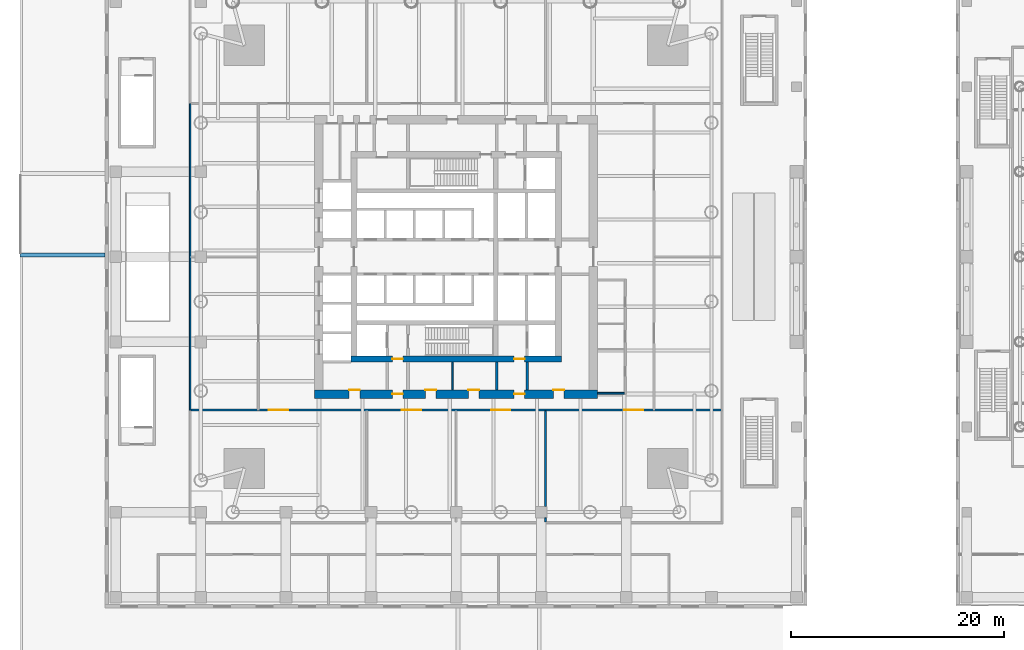
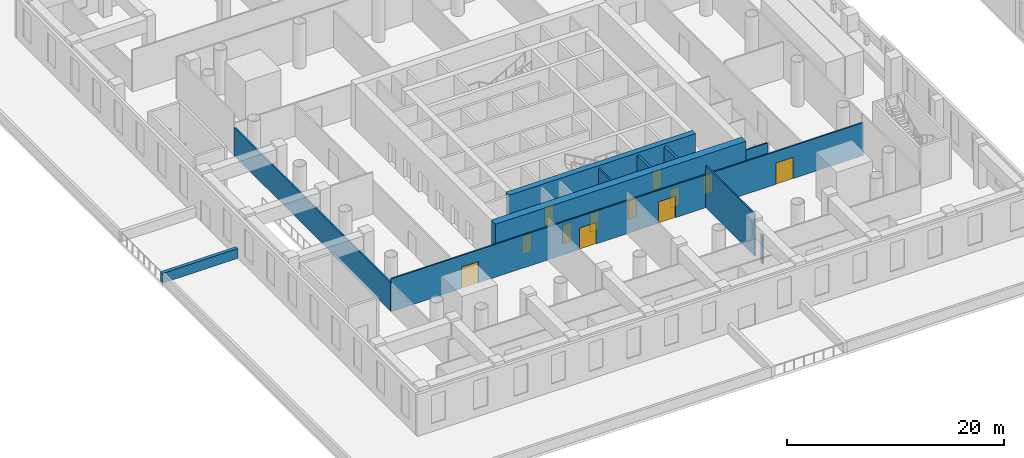
# One storey, part 9 of 26: 12 doors, 11 walls, 12 openings.
"""IFC4 building model written with IfcOpenShell, lengths in metres."""

import ifcopenshell
import ifcopenshell.guid

model = None  # the IFC model being written
_history = None  # IfcOwnerHistory: only IFC2X3 demands one
_inside = {}  # id of a spatial element -> (the spatial element, [elements in it])
_under = {}  # id of a project, library or spatial element -> (it, [spatial elements below it])
_declared = {}  # id of a project -> (the project, [libraries it declares])
_typed = {}  # id of a type object -> (the type object, [elements of that type])
_made_of = {}  # id of a material, layer set ... -> (it, [elements and type objects made of it])


def new_model(schema):
    """Start an empty IFC model of exactly this schema.

    Asked for "IFC4X3", IfcOpenShell would pick the latest addendum, in which some entities
    have other attributes; the version numbers below select the first issue.
    IFC2X3 requires an IfcOwnerHistory on every rooted entity: one is made here for all.
    """
    global model, _history
    if schema == "IFC4X3":
        model = ifcopenshell.file(schema_version=(4, 3, 0, 0))
    else:
        model = ifcopenshell.file(schema=schema)
    _inside.clear()
    _under.clear()
    _declared.clear()
    _typed.clear()
    _made_of.clear()
    _history = None
    if model.schema == "IFC2X3":
        org = make("IfcOrganization", Name="unknown")
        user = make(
            "IfcPersonAndOrganization",
            ThePerson=make("IfcPerson", FamilyName="unknown"),
            TheOrganization=org,
        )
        app = make(
            "IfcApplication",
            ApplicationDeveloper=org,
            Version="unknown",
            ApplicationFullName="unknown",
            ApplicationIdentifier="unknown",
        )
        _history = make(
            "IfcOwnerHistory",
            OwningUser=user,
            OwningApplication=app,
            ChangeAction="ADDED",
            CreationDate=0,
        )
    return model


def make(cls, **values):
    """One entity of the class cls with the attributes given. An attribute that is None is left unset."""
    return model.create_entity(
        cls, **{name: value for name, value in values.items() if value is not None}
    )


def rooted(cls, **values):
    """An entity with a GlobalId (a new one), such as an element, a storey or a relation."""
    return make(cls, GlobalId=ifcopenshell.guid.new(), OwnerHistory=_history, **values)


def si_unit(unit_type, name, prefix=None):
    """IfcSIUnit, for example si_unit("LENGTHUNIT", "METRE", prefix="MILLI")."""
    return make("IfcSIUnit", UnitType=unit_type, Prefix=prefix, Name=name)


def assignment(units):
    """IfcUnitAssignment: the units of a project."""
    return None if units is None else make("IfcUnitAssignment", Units=units)


def point(xyz):
    """IfcCartesianPoint."""
    return None if xyz is None else make("IfcCartesianPoint", Coordinates=xyz)


def direction(xyz):
    """IfcDirection."""
    return None if xyz is None else make("IfcDirection", DirectionRatios=xyz)


def frame(location, z_axis=None, x_axis=None):
    """IfcAxis2Placement3D, a coordinate frame: its origin and axes. An axis left out is left unset."""
    return make(
        "IfcAxis2Placement3D",
        Location=point(location),
        Axis=direction(z_axis),
        RefDirection=direction(x_axis),
    )


def frame_2d(location, x_axis=None):
    """IfcAxis2Placement2D, a coordinate frame in the plane: its origin and x axis."""
    return make(
        "IfcAxis2Placement2D", Location=point(location), RefDirection=direction(x_axis)
    )


def origin():
    """The frame at (0, 0, 0) with its axes left unset."""
    return frame((0.0, 0.0, 0.0))


def place(relative_to, where):
    """IfcLocalPlacement: puts the frame where relative to a parent placement (None: the world)."""
    return make(
        "IfcLocalPlacement", PlacementRelTo=relative_to, RelativePlacement=where
    )


def context(
    kind, dimensions, precision=None, world=None, true_north=None, identifier=None
):
    """IfcGeometricRepresentationContext, for example the 3D "Model" context."""
    return make(
        "IfcGeometricRepresentationContext",
        ContextIdentifier=identifier,
        ContextType=kind,
        CoordinateSpaceDimension=dimensions,
        Precision=precision,
        WorldCoordinateSystem=world,
        TrueNorth=true_north,
    )


def subcontext(parent, identifier, kind, view, scale=None):
    """IfcGeometricRepresentationSubContext, for example "Body" below "Model"."""
    return make(
        "IfcGeometricRepresentationSubContext",
        ContextIdentifier=identifier,
        ContextType=kind,
        ParentContext=parent,
        TargetScale=scale,
        TargetView=view,
    )


def project(units=None, contexts=None):
    """IfcProject with its units and contexts."""
    return rooted(
        "IfcProject",
        Name="project",
        RepresentationContexts=contexts,
        UnitsInContext=assignment(units),
    )


def spatial(cls, under=None, at=None, **own):
    """A site, building, storey or space (cls), placed at a placement, below another one or the project."""
    s = rooted(cls, ObjectPlacement=at, **own)
    if under is not None:
        _under.setdefault(under.id(), (under, []))[1].append(s)
    return s


def profile(cls, at=None, kind="AREA", **sizes):
    """A parametric profile (cls). Its sizes go by their IFC names, for example OverallWidth=200.0."""
    return make(cls, ProfileType=kind, Position=at, **sizes)


def rectangle(**sizes):
    """IfcRectangleProfileDef."""
    return profile("IfcRectangleProfileDef", **sizes)


def extrude(swept, where, along, depth):
    """IfcExtrudedAreaSolid: the profile swept, set in the frame where, extruded along a direction by depth."""
    return make(
        "IfcExtrudedAreaSolid",
        SweptArea=swept,
        Position=where,
        ExtrudedDirection=direction(along),
        Depth=depth,
    )


def shape(context_of_items, identifier, shape_type, items):
    """IfcShapeRepresentation: the items that make up one representation, for example the "Body"."""
    return make(
        "IfcShapeRepresentation",
        ContextOfItems=context_of_items,
        RepresentationIdentifier=identifier,
        RepresentationType=shape_type,
        Items=items,
    )


def material(Name=None, Category=None):
    """IfcMaterial."""
    return make("IfcMaterial", Name=Name, Category=Category)


def layer(
    of_material, thickness, ventilated=None, Name=None, Category=None, Priority=None
):
    """IfcMaterialLayer: one layer of a wall or slab, of a material (None: an air gap)."""
    return make(
        "IfcMaterialLayer",
        Material=of_material,
        LayerThickness=thickness,
        IsVentilated=ventilated,
        Name=Name,
        Category=Category,
        Priority=Priority,
    )


def layer_set(layers, Name=None):
    """IfcMaterialLayerSet."""
    return make("IfcMaterialLayerSet", MaterialLayers=layers, LayerSetName=Name)


def made_of(thing, what):
    """Note that an element or type object is made of a material, layer set ...; save() writes the relation."""
    if what is not None:
        _made_of.setdefault(what.id(), (what, []))[1].append(thing)
    return thing


def type_object(cls, material=None, **own):
    """A type object (cls), such as IfcWallType, which elements share."""
    return made_of(rooted(cls, **own), material)


def element(
    cls,
    number,
    at=None,
    inside=None,
    cuts=None,
    type_object=None,
    material=None,
    context=None,
    identifier="Body",
    shape_type=None,
    held_by="IfcProductDefinitionShape",
    body=None,
    shapes=None,
    **own,
):
    """One element of the class cls, such as IfcWall. Its Tag is "e" and its number.

    at: its placement. inside: the storey or other place that contains it. cuts: it is an
    opening in that element (IfcRelVoidsElement). A single representation is given by context,
    identifier, shape_type and body (its items); several are given by shapes. held_by: the class
    of the entity that holds the representations. save() writes the other relations.
    """
    e = rooted(cls, Tag="e%d" % number, ObjectPlacement=at, **own)
    if body is not None:
        shapes = [shape(context, identifier, shape_type, body)]
    if shapes is not None:
        e.Representation = make(held_by, Representations=shapes)
    if inside is not None:
        _inside.setdefault(inside.id(), (inside, []))[1].append(e)
    if cuts is not None:
        rooted(
            "IfcRelVoidsElement", RelatingBuildingElement=cuts, RelatedOpeningElement=e
        )
    if type_object is not None:
        _typed.setdefault(type_object.id(), (type_object, []))[1].append(e)
    return made_of(e, material)


def fill(opening, filler):
    """IfcRelFillsElement: the door or window that sits in an opening."""
    return rooted(
        "IfcRelFillsElement",
        RelatingOpeningElement=opening,
        RelatedBuildingElement=filler,
    )


def aggregate(whole, parts):
    """IfcRelAggregates: a whole, such as a stair, and the parts it consists of."""
    return rooted("IfcRelAggregates", RelatingObject=whole, RelatedObjects=parts)


def save(model, path):
    """Write the relations noted so far, then the file.

    IfcRelAggregates (storeys below a building ...), IfcRelContainedInSpatialStructure (elements
    in a storey), IfcRelDefinesByType, IfcRelAssociatesMaterial and IfcRelDeclares: one each for
    every whole, place, type object, material and project.
    """
    for whole, parts in _under.values():
        aggregate(whole, parts)
    for where, things in _inside.values():
        rooted(
            "IfcRelContainedInSpatialStructure",
            RelatedElements=things,
            RelatingStructure=where,
        )
    for kind, things in _typed.values():
        rooted("IfcRelDefinesByType", RelatedObjects=things, RelatingType=kind)
    for what, things in _made_of.values():
        rooted("IfcRelAssociatesMaterial", RelatedObjects=things, RelatingMaterial=what)
    for by, libraries in _declared.values():
        rooted("IfcRelDeclares", RelatingContext=by, RelatedDefinitions=libraries)
    model.write(path)


model = new_model("IFC4")

# Units and contexts
model_context = context("Model", 3, precision=1e-05, world=origin(), true_north=direction((0.0, 1.0)))
body_context = subcontext(model_context, "Body", "Model", "MODEL_VIEW")
ifc_project = project(units=[si_unit("LENGTHUNIT", "METRE"), si_unit("AREAUNIT", "SQUARE_METRE"), si_unit("VOLUMEUNIT", "CUBIC_METRE"), si_unit("PLANEANGLEUNIT", "RADIAN"), si_unit("MASSUNIT", "GRAM", prefix="KILO")], contexts=[model_context])

# Site, building, storey
site_placement = place(None, origin())
site = spatial("IfcSite", under=ifc_project, at=site_placement, CompositionType="ELEMENT")
building_placement = place(site_placement, origin())
building = spatial("IfcBuilding", under=site, at=building_placement, Name="Ostroluk Exchange", CompositionType="ELEMENT")
storey_placement = place(building_placement, frame((0.0, 0.0, 6.0)))
storey = spatial("IfcBuildingStorey", under=building, at=storey_placement, Name="L01", CompositionType="ELEMENT", Elevation=6.0)

# Walls
ifc_material_1 = material(Name="Concrete blockwork", Category="masonry")
ifc_layer_1 = layer(ifc_material_1, 0.14990234375)
ifc_layer_set_1 = layer_set([ifc_layer_1], Name="Blockwork plant room wall 150")
wall_type_1 = type_object("IfcWallType", Name="Blockwork plant room wall 150", PredefinedType="SOLIDWALL", material=ifc_layer_set_1)
wall_1_placement = place(storey_placement, frame((44.639892578125, 33.5, 0.0), z_axis=(0.0, 0.0, 1.0), x_axis=(0.0, 1.0, 0.0)))
element("IfcWall", 1, at=wall_1_placement, inside=storey, type_object=wall_type_1, Name="Core room wall", PredefinedType="SOLIDWALL", context=body_context, shape_type="SweptSolid", body=[
    extrude(rectangle(XDim=2.60009765625, YDim=0.14990234375, at=frame_2d((1.300048828125, 0.0))), origin(), (0.0, 0.0, 1.0), 4.699951171875),
])
ifc_material_2 = material(Name="Concrete blockwork", Category="masonry")
ifc_layer_2 = layer(ifc_material_2, 0.25)
ifc_layer_set_2 = layer_set([ifc_layer_2], Name="Blockwork stair enclosure wall 250")
wall_type_2 = type_object("IfcWallType", Name="Blockwork stair enclosure wall 250", PredefinedType="SOLIDWALL", material=ifc_layer_set_2)
for number, where, z_axis, x_axis, name in (
    (2, (48.804931640625, 33.5, 0.0), (0.0, 0.0, 1.0), (0.0, 1.0, 0.0), "Service lobby enclosure wall"),
    (3, (51.675048828125, 33.5, 0.0), (0.0, 0.0, 1.0), (0.0, 1.0, 0.0), "Service lobby enclosure wall"),
):
    element("IfcWall", number, at=place(storey_placement, frame(where, z_axis=z_axis, x_axis=x_axis)), inside=storey, type_object=wall_type_2, Name=name, PredefinedType="SOLIDWALL", context=body_context, shape_type="SweptSolid", body=[
        extrude(rectangle(XDim=2.60009765625, YDim=0.25, at=frame_2d((1.300048828125, 0.0))), origin(), (0.0, 0.0, 1.0), 4.699951171875),
    ])

# Wall, openings, doors
ifc_material_3 = material(Name="Concrete C50/60", Category="concrete")
ifc_layer_3 = layer(ifc_material_3, 0.60009765625)
ifc_layer_set_3 = layer_set([ifc_layer_3], Name="Core wall 600 C50/60")
wall_type_3 = type_object("IfcWallType", Name="Core wall 600 C50/60", PredefinedType="SHEAR", material=ifc_layer_set_3)
wall_2_placement = place(storey_placement, frame((35.10009765625, 36.39990234375, 0.0), z_axis=(0.0, 0.0, 1.0), x_axis=(1.0, 0.0, 0.0)))
wall_2 = element("IfcWall", 4, at=wall_2_placement, inside=storey, type_object=wall_type_3, Name="T1 core wall S", PredefinedType="SHEAR", context=body_context, shape_type="SweptSolid", body=[
    extrude(rectangle(XDim=19.7998046875, YDim=0.60009765625, at=frame_2d((9.89990234375, 0.0))), origin(), (0.0, 0.0, 1.0), 5.0),
])
opening_1_placement = place(wall_2_placement, frame((3.89990234375, 0.0, 0.0)))
opening_1 = element("IfcOpeningElement", 5, at=opening_1_placement, cuts=wall_2, Name="Opening FD60", PredefinedType="OPENING", context=body_context, shape_type="SweptSolid", body=[
    extrude(rectangle(XDim=1.0, YDim=2.10009765625, at=frame_2d((0.5, 1.050048828125))), frame((0.0, 0.31005859375, 0.0), z_axis=(0.0, -1.0, 0.0), x_axis=(1.0, 0.0, 0.0)), (0.0, 0.0, 1.0), 0.6201171875),
])
opening_2_placement = place(wall_2_placement, frame((15.35009765625, 0.0, 0.0)))
opening_2 = element("IfcOpeningElement", 6, at=opening_2_placement, cuts=wall_2, Name="Opening FD60", PredefinedType="OPENING", context=body_context, shape_type="SweptSolid", body=[
    extrude(rectangle(XDim=1.0, YDim=2.10009765625, at=frame_2d((0.5, 1.050048828125))), frame((0.0, 0.31005859375, 0.0), z_axis=(0.0, -1.0, 0.0), x_axis=(1.0, 0.0, 0.0)), (0.0, 0.0, 1.0), 0.6201171875),
])
ifc_material_4 = material(Name="Steel", Category="steel")
door_type_1 = type_object("IfcDoorType", Name="Fire door EI 60 1000 x 2100", OperationType="SINGLE_SWING_LEFT", PredefinedType="DOOR", material=ifc_material_4)
door_1_placement = place(opening_1_placement, origin())
door_1 = element("IfcDoor", 7, at=door_1_placement, inside=storey, type_object=door_type_1, Name="Firefighting lobby door", OperationType="SINGLE_SWING_LEFT", OverallHeight=2.10009765625, OverallWidth=1.0, PredefinedType="DOOR", context=body_context, shape_type="SweptSolid", body=[
    extrude(rectangle(XDim=1.0, YDim=2.10009765625, at=frame_2d((0.5, 1.050048828125))), frame((0.0, 0.02490234375, 0.0), z_axis=(0.0, -1.0, 0.0), x_axis=(1.0, 0.0, 0.0)), (0.0, 0.0, 1.0), 0.050048828125),
])
fill(opening_1, door_1)
door_2_placement = place(opening_2_placement, origin())
door_2 = element("IfcDoor", 8, at=door_2_placement, inside=storey, type_object=door_type_1, Name="Service lobby door", OperationType="SINGLE_SWING_RIGHT", OverallHeight=2.10009765625, OverallWidth=1.0, PredefinedType="DOOR", context=body_context, shape_type="SweptSolid", body=[
    extrude(rectangle(XDim=1.0, YDim=2.10009765625, at=frame_2d((0.5, 1.050048828125))), frame((0.0, 0.02490234375, 0.0), z_axis=(0.0, -1.0, 0.0), x_axis=(1.0, 0.0, 0.0)), (0.0, 0.0, 1.0), 0.050048828125),
])
fill(opening_2, door_2)

ifc_material_5 = material(Name="Concrete C50/60", Category="concrete")
ifc_layer_4 = layer(ifc_material_5, 0.800048828125)
ifc_layer_set_4 = layer_set([ifc_layer_4], Name="Core wall 800 C50/60")
wall_type_4 = type_object("IfcWallType", Name="Core wall 800 C50/60", PredefinedType="SHEAR", material=ifc_layer_set_4)
wall_3_placement = place(storey_placement, frame((31.699951171875, 33.10009765625, 0.0), z_axis=(0.0, 0.0, 1.0), x_axis=(1.0, 0.0, 0.0)))
wall_3 = element("IfcWall", 9, at=wall_3_placement, inside=storey, type_object=wall_type_4, Name="T1 core wall RS", PredefinedType="SHEAR", context=body_context, shape_type="SweptSolid", body=[
    extrude(rectangle(XDim=26.60009765625, YDim=0.800048828125, at=frame_2d((13.300048828125, 0.0))), origin(), (0.0, 0.0, 1.0), 5.0),
])
opening_3_placement = place(wall_3_placement, frame((7.300048828125, 0.0, 0.0)))
opening_3 = element("IfcOpeningElement", 10, at=opening_3_placement, cuts=wall_3, Name="Opening FD60", PredefinedType="OPENING", context=body_context, shape_type="SweptSolid", body=[
    extrude(rectangle(XDim=1.0, YDim=2.10009765625, at=frame_2d((0.5, 1.050048828125))), frame((0.0, 0.409912109375, 0.0), z_axis=(0.0, -1.0, 0.0), x_axis=(1.0, 0.0, 0.0)), (0.0, 0.0, 1.0), 0.820068359375),
])
opening_4_placement = place(wall_3_placement, frame((18.75, 0.0, 0.0)))
opening_4 = element("IfcOpeningElement", 11, at=opening_4_placement, cuts=wall_3, Name="Opening FD60", PredefinedType="OPENING", context=body_context, shape_type="SweptSolid", body=[
    extrude(rectangle(XDim=1.0, YDim=2.10009765625, at=frame_2d((0.5, 1.050048828125))), frame((0.0, 0.409912109375, 0.0), z_axis=(0.0, -1.0, 0.0), x_axis=(1.0, 0.0, 0.0)), (0.0, 0.0, 1.0), 0.820068359375),
])
opening_5_placement = place(wall_3_placement, frame((3.25, 0.0, 0.0)))
opening_5 = element("IfcOpeningElement", 12, at=opening_5_placement, cuts=wall_3, Name="Opening FD60", PredefinedType="OPENING", context=body_context, shape_type="SweptSolid", body=[
    extrude(rectangle(XDim=1.0, YDim=2.10009765625, at=frame_2d((0.5, 1.050048828125))), frame((0.0, 0.409912109375, 0.0), z_axis=(0.0, -1.0, 0.0), x_axis=(1.0, 0.0, 0.0)), (0.0, 0.0, 1.0), 0.820068359375),
])
opening_6_placement = place(wall_3_placement, frame((10.419921875, 0.0, 0.0)))
opening_6 = element("IfcOpeningElement", 13, at=opening_6_placement, cuts=wall_3, Name="Opening FD60", PredefinedType="OPENING", context=body_context, shape_type="SweptSolid", body=[
    extrude(rectangle(XDim=1.0, YDim=2.10009765625, at=frame_2d((0.5, 1.050048828125))), frame((0.0, 0.409912109375, 0.0), z_axis=(0.0, -1.0, 0.0), x_axis=(1.0, 0.0, 0.0)), (0.0, 0.0, 1.0), 0.820068359375),
])
opening_7_placement = place(wall_3_placement, frame((14.4599609375, 0.0, 0.0)))
opening_7 = element("IfcOpeningElement", 14, at=opening_7_placement, cuts=wall_3, Name="Opening FD60", PredefinedType="OPENING", context=body_context, shape_type="SweptSolid", body=[
    extrude(rectangle(XDim=1.0, YDim=2.10009765625, at=frame_2d((0.5, 1.050048828125))), frame((0.0, 0.409912109375, 0.0), z_axis=(0.0, -1.0, 0.0), x_axis=(1.0, 0.0, 0.0)), (0.0, 0.0, 1.0), 0.820068359375),
])
opening_8_placement = place(wall_3_placement, frame((22.449951171875, 0.0, 0.0)))
opening_8 = element("IfcOpeningElement", 15, at=opening_8_placement, cuts=wall_3, Name="Opening FD60", PredefinedType="OPENING", context=body_context, shape_type="SweptSolid", body=[
    extrude(rectangle(XDim=1.0, YDim=2.10009765625, at=frame_2d((0.5, 1.050048828125))), frame((0.0, 0.409912109375, 0.0), z_axis=(0.0, -1.0, 0.0), x_axis=(1.0, 0.0, 0.0)), (0.0, 0.0, 1.0), 0.820068359375),
])
door_3_placement = place(opening_3_placement, origin())
door_3 = element("IfcDoor", 16, at=door_3_placement, inside=storey, type_object=door_type_1, Name="Firefighting lobby door", OperationType="SINGLE_SWING_LEFT", OverallHeight=2.10009765625, OverallWidth=1.0, PredefinedType="DOOR", context=body_context, shape_type="SweptSolid", body=[
    extrude(rectangle(XDim=1.0, YDim=2.10009765625, at=frame_2d((0.5, 1.050048828125))), frame((0.0, 0.02490234375, 0.0), z_axis=(0.0, -1.0, 0.0), x_axis=(1.0, 0.0, 0.0)), (0.0, 0.0, 1.0), 0.050048828125),
])
fill(opening_3, door_3)
door_4_placement = place(opening_4_placement, origin())
door_4 = element("IfcDoor", 17, at=door_4_placement, inside=storey, type_object=door_type_1, Name="Service lobby door", OperationType="SINGLE_SWING_RIGHT", OverallHeight=2.10009765625, OverallWidth=1.0, PredefinedType="DOOR", context=body_context, shape_type="SweptSolid", body=[
    extrude(rectangle(XDim=1.0, YDim=2.10009765625, at=frame_2d((0.5, 1.050048828125))), frame((0.0, 0.02490234375, 0.0), z_axis=(0.0, -1.0, 0.0), x_axis=(1.0, 0.0, 0.0)), (0.0, 0.0, 1.0), 0.050048828125),
])
fill(opening_4, door_4)
door_5_placement = place(opening_5_placement, origin())
door_5 = element("IfcDoor", 18, at=door_5_placement, inside=storey, type_object=door_type_1, Name="Electrical switch room door", OperationType="SINGLE_SWING_LEFT", OverallHeight=2.10009765625, OverallWidth=1.0, PredefinedType="DOOR", context=body_context, shape_type="SweptSolid", body=[
    extrude(rectangle(XDim=1.0, YDim=2.10009765625, at=frame_2d((0.5, 1.050048828125))), frame((0.0, 0.39013671875, 0.0), z_axis=(0.0, -1.0, 0.0), x_axis=(1.0, 0.0, 0.0)), (0.0, 0.0, 1.0), 0.050048828125),
])
fill(opening_5, door_5)
door_6_placement = place(opening_6_placement, origin())
door_6 = element("IfcDoor", 19, at=door_6_placement, inside=storey, type_object=door_type_1, Name="Waste store door", OperationType="SINGLE_SWING_LEFT", OverallHeight=2.10009765625, OverallWidth=1.0, PredefinedType="DOOR", context=body_context, shape_type="SweptSolid", body=[
    extrude(rectangle(XDim=1.0, YDim=2.10009765625, at=frame_2d((0.5, 1.050048828125))), frame((0.0, 0.39013671875, 0.0), z_axis=(0.0, -1.0, 0.0), x_axis=(1.0, 0.0, 0.0)), (0.0, 0.0, 1.0), 0.050048828125),
])
fill(opening_6, door_6)
door_7_placement = place(opening_7_placement, origin())
door_7 = element("IfcDoor", 20, at=door_7_placement, inside=storey, type_object=door_type_1, Name="Security equipment store door", OperationType="SINGLE_SWING_RIGHT", OverallHeight=2.10009765625, OverallWidth=1.0, PredefinedType="DOOR", context=body_context, shape_type="SweptSolid", body=[
    extrude(rectangle(XDim=1.0, YDim=2.10009765625, at=frame_2d((0.5, 1.050048828125))), frame((0.0, 0.39013671875, 0.0), z_axis=(0.0, -1.0, 0.0), x_axis=(1.0, 0.0, 0.0)), (0.0, 0.0, 1.0), 0.050048828125),
])
fill(opening_7, door_7)
door_8_placement = place(opening_8_placement, origin())
door_8 = element("IfcDoor", 21, at=door_8_placement, inside=storey, type_object=door_type_1, Name="Electrical switch room door", OperationType="SINGLE_SWING_RIGHT", OverallHeight=2.10009765625, OverallWidth=1.0, PredefinedType="DOOR", context=body_context, shape_type="SweptSolid", body=[
    extrude(rectangle(XDim=1.0, YDim=2.10009765625, at=frame_2d((0.5, 1.050048828125))), frame((0.0, 0.39013671875, 0.0), z_axis=(0.0, -1.0, 0.0), x_axis=(1.0, 0.0, 0.0)), (0.0, 0.0, 1.0), 0.050048828125),
])
fill(opening_8, door_8)

# Wall
ifc_material_6 = material(Name="Limestone", Category="masonry")
ifc_layer_5 = layer(ifc_material_6, 0.35009765625)
ifc_layer_set_5 = layer_set([ifc_layer_5], Name="Planter wall 350")
wall_type_5 = type_object("IfcWallType", Name="Planter wall 350", PredefinedType="PARAPET", material=ifc_layer_set_5)
wall_4_placement = place(storey_placement, frame((4.0, 46.175048828125, 0.0), z_axis=(0.0, 0.0, 1.0), x_axis=(1.0, 0.0, 0.0)))
element("IfcWall", 22, at=wall_4_placement, inside=storey, type_object=wall_type_5, Name="Terrace planter wall L01 1", PredefinedType="PARAPET", context=body_context, shape_type="SweptSolid", body=[
    extrude(rectangle(XDim=8.0, YDim=0.35009765625, at=frame_2d((4.0, 0.0))), origin(), (0.0, 0.0, 1.0), 1.10009765625),
])

# Wall, openings, doors
ifc_material_7 = material(Name="Gypsum plasterboard partition", Category="gypsum")
ifc_layer_6 = layer(ifc_material_7, 0.14990234375)
ifc_layer_set_6 = layer_set([ifc_layer_6], Name="Plasterboard partition 150")
wall_type_6 = type_object("IfcWallType", Name="Plasterboard partition 150", PredefinedType="PARTITIONING", material=ifc_layer_set_6)
wall_5_placement = place(storey_placement, frame((19.925048828125, 31.60009765625, 0.0), z_axis=(0.0, 0.0, 1.0), x_axis=(1.0, 0.0, 0.0)))
wall_5 = element("IfcWall", 23, at=wall_5_placement, inside=storey, type_object=wall_type_6, Name="Partition", PredefinedType="PARTITIONING", context=body_context, shape_type="SweptSolid", body=[
    extrude(rectangle(XDim=50.14990234375, YDim=0.14990234375, at=frame_2d((25.074951171875, 0.0))), origin(), (0.0, 0.0, 1.0), 3.68798828125),
])
opening_9_placement = place(wall_5_placement, frame((7.47509765625, 0.0, 0.0)))
opening_9 = element("IfcOpeningElement", 24, at=opening_9_placement, cuts=wall_5, Name="Opening D-04", PredefinedType="OPENING", context=body_context, shape_type="SweptSolid", body=[
    extrude(rectangle(XDim=1.800048828125, YDim=2.39990234375, at=frame_2d((0.89990234375, 1.199951171875))), frame((0.0, 0.0849609375, 0.0), z_axis=(0.0, -1.0, 0.0), x_axis=(1.0, 0.0, 0.0)), (0.0, 0.0, 1.0), 0.169921875),
])
opening_10_placement = place(wall_5_placement, frame((19.97509765625, 0.0, 0.0)))
opening_10 = element("IfcOpeningElement", 25, at=opening_10_placement, cuts=wall_5, Name="Opening D-04", PredefinedType="OPENING", context=body_context, shape_type="SweptSolid", body=[
    extrude(rectangle(XDim=1.800048828125, YDim=2.39990234375, at=frame_2d((0.89990234375, 1.199951171875))), frame((0.0, 0.0849609375, 0.0), z_axis=(0.0, -1.0, 0.0), x_axis=(1.0, 0.0, 0.0)), (0.0, 0.0, 1.0), 0.169921875),
])
opening_11_placement = place(wall_5_placement, frame((28.375, 0.0, 0.0)))
opening_11 = element("IfcOpeningElement", 26, at=opening_11_placement, cuts=wall_5, Name="Opening D-04", PredefinedType="OPENING", context=body_context, shape_type="SweptSolid", body=[
    extrude(rectangle(XDim=1.800048828125, YDim=2.39990234375, at=frame_2d((0.89990234375, 1.199951171875))), frame((0.0, 0.0849609375, 0.0), z_axis=(0.0, -1.0, 0.0), x_axis=(1.0, 0.0, 0.0)), (0.0, 0.0, 1.0), 0.169921875),
])
opening_12_placement = place(wall_5_placement, frame((40.875, 0.0, 0.0)))
opening_12 = element("IfcOpeningElement", 27, at=opening_12_placement, cuts=wall_5, Name="Opening D-04", PredefinedType="OPENING", context=body_context, shape_type="SweptSolid", body=[
    extrude(rectangle(XDim=1.800048828125, YDim=2.39990234375, at=frame_2d((0.89990234375, 1.199951171875))), frame((0.0, 0.0849609375, 0.0), z_axis=(0.0, -1.0, 0.0), x_axis=(1.0, 0.0, 0.0)), (0.0, 0.0, 1.0), 0.169921875),
])
ifc_material_8 = material(Name="Timber", Category="wood")
door_type_2 = type_object("IfcDoorType", Name="Double door 1800 x 2400", OperationType="DOUBLE_DOOR_SINGLE_SWING", PredefinedType="DOOR", material=ifc_material_8)
door_9_placement = place(opening_9_placement, origin())
door_9 = element("IfcDoor", 28, at=door_9_placement, inside=storey, type_object=door_type_2, Name="Retail unit door", OperationType="DOUBLE_DOOR_SINGLE_SWING", OverallHeight=2.39990234375, OverallWidth=1.800048828125, PredefinedType="DOOR", context=body_context, shape_type="SweptSolid", body=[
    extrude(rectangle(XDim=1.800048828125, YDim=2.39990234375, at=frame_2d((0.89990234375, 1.199951171875))), frame((0.0, 0.02490234375, 0.0), z_axis=(0.0, -1.0, 0.0), x_axis=(1.0, 0.0, 0.0)), (0.0, 0.0, 1.0), 0.050048828125),
])
fill(opening_9, door_9)
door_10_placement = place(opening_10_placement, origin())
door_10 = element("IfcDoor", 29, at=door_10_placement, inside=storey, type_object=door_type_2, Name="Goods store door", OperationType="DOUBLE_DOOR_SINGLE_SWING", OverallHeight=2.39990234375, OverallWidth=1.800048828125, PredefinedType="DOOR", context=body_context, shape_type="SweptSolid", body=[
    extrude(rectangle(XDim=1.800048828125, YDim=2.39990234375, at=frame_2d((0.89990234375, 1.199951171875))), frame((0.0, 0.02490234375, 0.0), z_axis=(0.0, -1.0, 0.0), x_axis=(1.0, 0.0, 0.0)), (0.0, 0.0, 1.0), 0.050048828125),
])
fill(opening_10, door_10)
door_11_placement = place(opening_11_placement, origin())
door_11 = element("IfcDoor", 30, at=door_11_placement, inside=storey, type_object=door_type_2, Name="Retail unit door", OperationType="DOUBLE_DOOR_SINGLE_SWING", OverallHeight=2.39990234375, OverallWidth=1.800048828125, PredefinedType="DOOR", context=body_context, shape_type="SweptSolid", body=[
    extrude(rectangle(XDim=1.800048828125, YDim=2.39990234375, at=frame_2d((0.89990234375, 1.199951171875))), frame((0.0, 0.02490234375, 0.0), z_axis=(0.0, -1.0, 0.0), x_axis=(1.0, 0.0, 0.0)), (0.0, 0.0, 1.0), 0.050048828125),
])
fill(opening_11, door_11)
door_12_placement = place(opening_12_placement, origin())
door_12 = element("IfcDoor", 31, at=door_12_placement, inside=storey, type_object=door_type_2, Name="Goods store door", OperationType="DOUBLE_DOOR_SINGLE_SWING", OverallHeight=2.39990234375, OverallWidth=1.800048828125, PredefinedType="DOOR", context=body_context, shape_type="SweptSolid", body=[
    extrude(rectangle(XDim=1.800048828125, YDim=2.39990234375, at=frame_2d((0.89990234375, 1.199951171875))), frame((0.0, 0.02490234375, 0.0), z_axis=(0.0, -1.0, 0.0), x_axis=(1.0, 0.0, 0.0)), (0.0, 0.0, 1.0), 0.050048828125),
])
fill(opening_12, door_12)

# Walls
wall_6_placement = place(storey_placement, frame((53.39990234375, 21.074951171875, 0.0), z_axis=(0.0, 0.0, 1.0), x_axis=(0.0, 1.0, 0.0)))
element("IfcWall", 32, at=wall_6_placement, inside=storey, type_object=wall_type_6, Name="Partition", PredefinedType="PARTITIONING", context=body_context, shape_type="SweptSolid", body=[
    extrude(rectangle(XDim=0.375, YDim=0.14990234375, at=frame_2d((0.1875, 0.0))), origin(), (0.0, 0.0, 1.0), 3.199951171875),
])
wall_7_placement = place(storey_placement, frame((53.39990234375, 22.550048828125, 0.0), z_axis=(0.0, 0.0, 1.0), x_axis=(0.0, 1.0, 0.0)))
element("IfcWall", 33, at=wall_7_placement, inside=storey, type_object=wall_type_6, Name="Partition", PredefinedType="PARTITIONING", context=body_context, shape_type="SweptSolid", body=[
    extrude(rectangle(XDim=8.974853515625, YDim=0.14990234375, at=frame_2d((4.4873046875, 0.0))), origin(), (0.0, 0.0, 1.0), 4.699951171875),
])
wall_8_placement = place(storey_placement, frame((20.0, 31.60009765625, 0.0), z_axis=(0.0, 0.0, 1.0), x_axis=(0.0, 1.0, 0.0)))
element("IfcWall", 34, at=wall_8_placement, inside=storey, type_object=wall_type_6, Name="Partition", PredefinedType="PARTITIONING", context=body_context, shape_type="SweptSolid", body=[
    extrude(rectangle(XDim=28.7998046875, YDim=0.14990234375, at=frame_2d((14.39990234375, 0.0))), origin(), (0.0, 0.0, 1.0), 3.199951171875),
])
ifc_material_9 = material(Name="Gypsum plasterboard partition, moisture resistant", Category="gypsum")
ifc_layer_7 = layer(ifc_material_9, 0.14990234375)
ifc_layer_set_7 = layer_set([ifc_layer_7], Name="Plasterboard toilet partition 150")
wall_type_7 = type_object("IfcWallType", Name="Plasterboard toilet partition 150", PredefinedType="PARTITIONING", material=ifc_layer_set_7)
wall_9_placement = place(storey_placement, frame((60.824951171875, 33.175048828125, 0.0), z_axis=(0.0, 0.0, 1.0), x_axis=(-1.0, 0.0, 0.0)))
element("IfcWall", 35, at=wall_9_placement, inside=storey, type_object=wall_type_7, Name="Toilet partition", PredefinedType="PARTITIONING", context=body_context, shape_type="SweptSolid", body=[
    extrude(rectangle(XDim=2.52490234375, YDim=0.14990234375, at=frame_2d((1.262451171875, 0.0))), origin(), (0.0, 0.0, 1.0), 3.68798828125),
])

save(model, "model.ifc")
